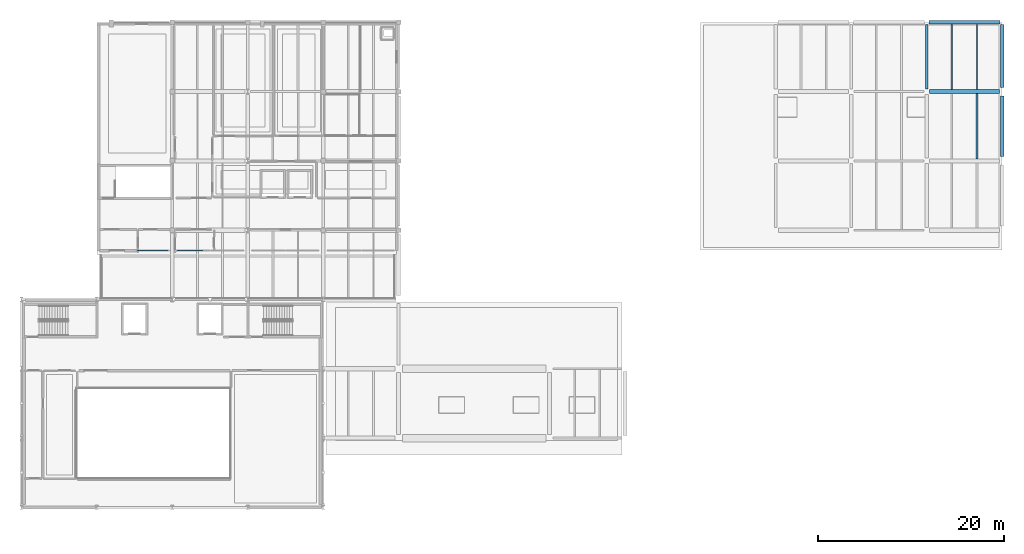
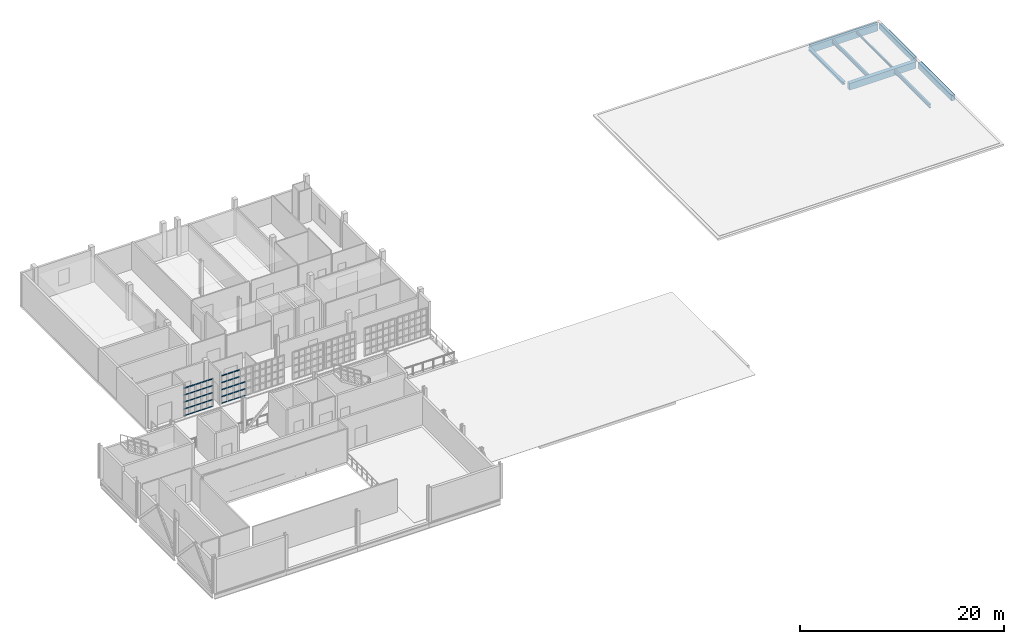
# One storey, part 11 of 25: 43 members, 8 beams, 2 elements without a shape of their own.
"""IFC4 building model written with IfcOpenShell, lengths in metres."""

from ifc_helpers import new_model, si_unit, direction, frame, origin, origin_2d, place, context, subcontext, project, spatial, rectangle, hollow_rectangle, i_section, extrude, material, material_profile, profile_set, type_object, element, aggregate, save


model = new_model("IFC4")

# Units and contexts
model_context = context("Model", 3, precision=1e-05, world=origin(), true_north=direction((0.0, 1.0)))
body_context = subcontext(model_context, "Body", "Model", "MODEL_VIEW")
ifc_project = project(units=[si_unit("LENGTHUNIT", "METRE"), si_unit("AREAUNIT", "SQUARE_METRE"), si_unit("VOLUMEUNIT", "CUBIC_METRE"), si_unit("PLANEANGLEUNIT", "RADIAN"), si_unit("MASSUNIT", "GRAM", prefix="KILO")], contexts=[model_context])

# Site, building, storey
site_placement = place(None, origin())
site = spatial("IfcSite", under=ifc_project, at=site_placement, CompositionType="ELEMENT")
building_placement = place(site_placement, origin())
building = spatial("IfcBuilding", under=site, at=building_placement, Name="Kaelora Sail Theatre", CompositionType="ELEMENT")
storey_placement = place(building_placement, frame((0.0, 0.0, 19.199951171875)))
storey = spatial("IfcBuildingStorey", under=building, at=storey_placement, Name="L04", CompositionType="ELEMENT", Elevation=19.199951171875)

# Curtain wall, members
ifc_material_1 = material(Name="Anodised aluminium and solar-control low-E IGU", Category="aluminium")
curtain_wall_type = type_object("IfcCurtainWallType", Name="ARC-CW-CW-CLR", PredefinedType="NOTDEFINED", material=ifc_material_1)
curtain_wall_1_placement = place(storey_placement, origin())
curtain_wall_1 = element("IfcCurtainWall", 1, at=curtain_wall_1_placement, inside=storey, type_object=curtain_wall_type, Name="Glazed Foyer/Conservatory Curtain Wall NW2-S-L04-01", PredefinedType="NOTDEFINED")
ifc_material_2 = material(Name="Anodised aluminium 6063-T6", Category="aluminium")
ifc_material_profile_1 = material_profile(ifc_material_2, hollow_rectangle(XDim=0.070068359375, YDim=0.139892578125, WallThickness=0.00390625, InnerFilletRadius=0.00390625, OuterFilletRadius=0.008056640625, at=origin_2d()), Name="ALU-TRAN 70x140x4")
ifc_profile_set_1 = profile_set([ifc_material_profile_1], Name="Anodised aluminium 6063-T6")
member_type = type_object("IfcMemberType", Name="ARC-MEM-TR-140", PredefinedType="USERDEFINED", material=ifc_profile_set_1)
member_1_placement = place(storey_placement, frame((38.260009765625, 88.590087890625, 0.03515625), z_axis=(1.0, 0.0, 0.0), x_axis=(0.0, 1.0, 0.0)))
member_1 = element("IfcMember", 2, at=member_1_placement, type_object=member_type, Name="CW-CLR transom 1.1", ObjectType="TRANSOM", PredefinedType="USERDEFINED", context=body_context, shape_type="SweptSolid", body=[
    extrude(hollow_rectangle(XDim=0.070068359375, YDim=0.139892578125, WallThickness=0.00390625, InnerFilletRadius=0.00390625, OuterFilletRadius=0.008056640625, at=origin_2d()), origin(), (0.0, 0.0, 1.0), 0.590087890625),
])
member_2_placement = place(storey_placement, frame((38.260009765625, 88.590087890625, 0.836669921875), z_axis=(1.0, 0.0, 0.0), x_axis=(0.0, 1.0, 0.0)))
member_2 = element("IfcMember", 3, at=member_2_placement, type_object=member_type, Name="CW-CLR transom 1.2", ObjectType="TRANSOM", PredefinedType="USERDEFINED", context=body_context, shape_type="SweptSolid", body=[
    extrude(hollow_rectangle(XDim=0.070068359375, YDim=0.139892578125, WallThickness=0.00390625, InnerFilletRadius=0.00390625, OuterFilletRadius=0.008056640625, at=origin_2d()), origin(), (0.0, 0.0, 1.0), 0.590087890625),
])
member_3_placement = place(storey_placement, frame((38.260009765625, 88.590087890625, 1.673583984375), z_axis=(1.0, 0.0, 0.0), x_axis=(0.0, 1.0, 0.0)))
member_3 = element("IfcMember", 4, at=member_3_placement, type_object=member_type, Name="CW-CLR transom 1.3", ObjectType="TRANSOM", PredefinedType="USERDEFINED", context=body_context, shape_type="SweptSolid", body=[
    extrude(hollow_rectangle(XDim=0.070068359375, YDim=0.139892578125, WallThickness=0.00390625, InnerFilletRadius=0.00390625, OuterFilletRadius=0.008056640625, at=origin_2d()), origin(), (0.0, 0.0, 1.0), 0.590087890625),
])
member_4_placement = place(storey_placement, frame((38.260009765625, 88.590087890625, 2.51025390625), z_axis=(1.0, 0.0, 0.0), x_axis=(0.0, 1.0, 0.0)))
member_4 = element("IfcMember", 5, at=member_4_placement, type_object=member_type, Name="CW-CLR transom 1.4", ObjectType="TRANSOM", PredefinedType="USERDEFINED", context=body_context, shape_type="SweptSolid", body=[
    extrude(hollow_rectangle(XDim=0.070068359375, YDim=0.139892578125, WallThickness=0.00390625, InnerFilletRadius=0.00390625, OuterFilletRadius=0.008056640625, at=origin_2d()), origin(), (0.0, 0.0, 1.0), 0.590087890625),
])
member_5_placement = place(storey_placement, frame((38.260009765625, 88.590087890625, 3.31201171875), z_axis=(1.0, 0.0, 0.0), x_axis=(0.0, 1.0, 0.0)))
member_5 = element("IfcMember", 6, at=member_5_placement, type_object=member_type, Name="CW-CLR transom 1.5", ObjectType="TRANSOM", PredefinedType="USERDEFINED", context=body_context, shape_type="SweptSolid", body=[
    extrude(hollow_rectangle(XDim=0.070068359375, YDim=0.139892578125, WallThickness=0.00390625, InnerFilletRadius=0.00390625, OuterFilletRadius=0.008056640625, at=origin_2d()), origin(), (0.0, 0.0, 1.0), 0.590087890625),
])
member_6_placement = place(storey_placement, frame((38.909912109375, 88.590087890625, 0.03515625), z_axis=(1.0, 0.0, 0.0), x_axis=(0.0, 1.0, 0.0)))
member_6 = element("IfcMember", 7, at=member_6_placement, type_object=member_type, Name="CW-CLR transom 2.1", ObjectType="TRANSOM", PredefinedType="USERDEFINED", context=body_context, shape_type="SweptSolid", body=[
    extrude(hollow_rectangle(XDim=0.070068359375, YDim=0.139892578125, WallThickness=0.00390625, InnerFilletRadius=0.00390625, OuterFilletRadius=0.008056640625, at=origin_2d()), origin(), (0.0, 0.0, 1.0), 0.6201171875),
])
member_7_placement = place(storey_placement, frame((38.909912109375, 88.590087890625, 0.836669921875), z_axis=(1.0, 0.0, 0.0), x_axis=(0.0, 1.0, 0.0)))
member_7 = element("IfcMember", 8, at=member_7_placement, type_object=member_type, Name="CW-CLR transom 2.2", ObjectType="TRANSOM", PredefinedType="USERDEFINED", context=body_context, shape_type="SweptSolid", body=[
    extrude(hollow_rectangle(XDim=0.070068359375, YDim=0.139892578125, WallThickness=0.00390625, InnerFilletRadius=0.00390625, OuterFilletRadius=0.008056640625, at=origin_2d()), origin(), (0.0, 0.0, 1.0), 0.6201171875),
])
member_8_placement = place(storey_placement, frame((38.909912109375, 88.590087890625, 1.673583984375), z_axis=(1.0, 0.0, 0.0), x_axis=(0.0, 1.0, 0.0)))
member_8 = element("IfcMember", 9, at=member_8_placement, type_object=member_type, Name="CW-CLR transom 2.3", ObjectType="TRANSOM", PredefinedType="USERDEFINED", context=body_context, shape_type="SweptSolid", body=[
    extrude(hollow_rectangle(XDim=0.070068359375, YDim=0.139892578125, WallThickness=0.00390625, InnerFilletRadius=0.00390625, OuterFilletRadius=0.008056640625, at=origin_2d()), origin(), (0.0, 0.0, 1.0), 0.6201171875),
])
member_9_placement = place(storey_placement, frame((38.909912109375, 88.590087890625, 2.51025390625), z_axis=(1.0, 0.0, 0.0), x_axis=(0.0, 1.0, 0.0)))
member_9 = element("IfcMember", 10, at=member_9_placement, type_object=member_type, Name="CW-CLR transom 2.4", ObjectType="TRANSOM", PredefinedType="USERDEFINED", context=body_context, shape_type="SweptSolid", body=[
    extrude(hollow_rectangle(XDim=0.070068359375, YDim=0.139892578125, WallThickness=0.00390625, InnerFilletRadius=0.00390625, OuterFilletRadius=0.008056640625, at=origin_2d()), origin(), (0.0, 0.0, 1.0), 0.6201171875),
])
member_10_placement = place(storey_placement, frame((38.909912109375, 88.590087890625, 3.31201171875), z_axis=(1.0, 0.0, 0.0), x_axis=(0.0, 1.0, 0.0)))
member_10 = element("IfcMember", 11, at=member_10_placement, type_object=member_type, Name="CW-CLR transom 2.5", ObjectType="TRANSOM", PredefinedType="USERDEFINED", context=body_context, shape_type="SweptSolid", body=[
    extrude(hollow_rectangle(XDim=0.070068359375, YDim=0.139892578125, WallThickness=0.00390625, InnerFilletRadius=0.00390625, OuterFilletRadius=0.008056640625, at=origin_2d()), origin(), (0.0, 0.0, 1.0), 0.6201171875),
])
member_11_placement = place(storey_placement, frame((39.590087890625, 88.590087890625, 0.03515625), z_axis=(1.0, 0.0, 0.0), x_axis=(0.0, 1.0, 0.0)))
member_11 = element("IfcMember", 12, at=member_11_placement, type_object=member_type, Name="CW-CLR transom 3.1", ObjectType="TRANSOM", PredefinedType="USERDEFINED", context=body_context, shape_type="SweptSolid", body=[
    extrude(hollow_rectangle(XDim=0.070068359375, YDim=0.139892578125, WallThickness=0.00390625, InnerFilletRadius=0.00390625, OuterFilletRadius=0.008056640625, at=origin_2d()), origin(), (0.0, 0.0, 1.0), 0.619873046875),
])
member_12_placement = place(storey_placement, frame((39.590087890625, 88.590087890625, 0.836669921875), z_axis=(1.0, 0.0, 0.0), x_axis=(0.0, 1.0, 0.0)))
member_12 = element("IfcMember", 13, at=member_12_placement, type_object=member_type, Name="CW-CLR transom 3.2", ObjectType="TRANSOM", PredefinedType="USERDEFINED", context=body_context, shape_type="SweptSolid", body=[
    extrude(hollow_rectangle(XDim=0.070068359375, YDim=0.139892578125, WallThickness=0.00390625, InnerFilletRadius=0.00390625, OuterFilletRadius=0.008056640625, at=origin_2d()), origin(), (0.0, 0.0, 1.0), 0.619873046875),
])
member_13_placement = place(storey_placement, frame((39.590087890625, 88.590087890625, 1.673583984375), z_axis=(1.0, 0.0, 0.0), x_axis=(0.0, 1.0, 0.0)))
member_13 = element("IfcMember", 14, at=member_13_placement, type_object=member_type, Name="CW-CLR transom 3.3", ObjectType="TRANSOM", PredefinedType="USERDEFINED", context=body_context, shape_type="SweptSolid", body=[
    extrude(hollow_rectangle(XDim=0.070068359375, YDim=0.139892578125, WallThickness=0.00390625, InnerFilletRadius=0.00390625, OuterFilletRadius=0.008056640625, at=origin_2d()), origin(), (0.0, 0.0, 1.0), 0.619873046875),
])
member_14_placement = place(storey_placement, frame((39.590087890625, 88.590087890625, 2.51025390625), z_axis=(1.0, 0.0, 0.0), x_axis=(0.0, 1.0, 0.0)))
member_14 = element("IfcMember", 15, at=member_14_placement, type_object=member_type, Name="CW-CLR transom 3.4", ObjectType="TRANSOM", PredefinedType="USERDEFINED", context=body_context, shape_type="SweptSolid", body=[
    extrude(hollow_rectangle(XDim=0.070068359375, YDim=0.139892578125, WallThickness=0.00390625, InnerFilletRadius=0.00390625, OuterFilletRadius=0.008056640625, at=origin_2d()), origin(), (0.0, 0.0, 1.0), 0.619873046875),
])
member_15_placement = place(storey_placement, frame((39.590087890625, 88.590087890625, 3.31201171875), z_axis=(1.0, 0.0, 0.0), x_axis=(0.0, 1.0, 0.0)))
member_15 = element("IfcMember", 16, at=member_15_placement, type_object=member_type, Name="CW-CLR transom 3.5", ObjectType="TRANSOM", PredefinedType="USERDEFINED", context=body_context, shape_type="SweptSolid", body=[
    extrude(hollow_rectangle(XDim=0.070068359375, YDim=0.139892578125, WallThickness=0.00390625, InnerFilletRadius=0.00390625, OuterFilletRadius=0.008056640625, at=origin_2d()), origin(), (0.0, 0.0, 1.0), 0.619873046875),
])
member_16_placement = place(storey_placement, frame((40.27001953125, 88.590087890625, 0.03515625), z_axis=(1.0, 0.0, 0.0), x_axis=(0.0, 1.0, 0.0)))
member_16 = element("IfcMember", 17, at=member_16_placement, type_object=member_type, Name="CW-CLR transom 4.1", ObjectType="TRANSOM", PredefinedType="USERDEFINED", context=body_context, shape_type="SweptSolid", body=[
    extrude(hollow_rectangle(XDim=0.070068359375, YDim=0.139892578125, WallThickness=0.00390625, InnerFilletRadius=0.00390625, OuterFilletRadius=0.008056640625, at=origin_2d()), origin(), (0.0, 0.0, 1.0), 0.619873046875),
])
member_17_placement = place(storey_placement, frame((40.27001953125, 88.590087890625, 0.836669921875), z_axis=(1.0, 0.0, 0.0), x_axis=(0.0, 1.0, 0.0)))
member_17 = element("IfcMember", 18, at=member_17_placement, type_object=member_type, Name="CW-CLR transom 4.2", ObjectType="TRANSOM", PredefinedType="USERDEFINED", context=body_context, shape_type="SweptSolid", body=[
    extrude(hollow_rectangle(XDim=0.070068359375, YDim=0.139892578125, WallThickness=0.00390625, InnerFilletRadius=0.00390625, OuterFilletRadius=0.008056640625, at=origin_2d()), origin(), (0.0, 0.0, 1.0), 0.619873046875),
])
member_18_placement = place(storey_placement, frame((40.27001953125, 88.590087890625, 1.673583984375), z_axis=(1.0, 0.0, 0.0), x_axis=(0.0, 1.0, 0.0)))
member_18 = element("IfcMember", 19, at=member_18_placement, type_object=member_type, Name="CW-CLR transom 4.3", ObjectType="TRANSOM", PredefinedType="USERDEFINED", context=body_context, shape_type="SweptSolid", body=[
    extrude(hollow_rectangle(XDim=0.070068359375, YDim=0.139892578125, WallThickness=0.00390625, InnerFilletRadius=0.00390625, OuterFilletRadius=0.008056640625, at=origin_2d()), origin(), (0.0, 0.0, 1.0), 0.619873046875),
])
member_19_placement = place(storey_placement, frame((40.27001953125, 88.590087890625, 2.51025390625), z_axis=(1.0, 0.0, 0.0), x_axis=(0.0, 1.0, 0.0)))
member_19 = element("IfcMember", 20, at=member_19_placement, type_object=member_type, Name="CW-CLR transom 4.4", ObjectType="TRANSOM", PredefinedType="USERDEFINED", context=body_context, shape_type="SweptSolid", body=[
    extrude(hollow_rectangle(XDim=0.070068359375, YDim=0.139892578125, WallThickness=0.00390625, InnerFilletRadius=0.00390625, OuterFilletRadius=0.008056640625, at=origin_2d()), origin(), (0.0, 0.0, 1.0), 0.619873046875),
])
member_20_placement = place(storey_placement, frame((40.27001953125, 88.590087890625, 3.31201171875), z_axis=(1.0, 0.0, 0.0), x_axis=(0.0, 1.0, 0.0)))
member_20 = element("IfcMember", 21, at=member_20_placement, type_object=member_type, Name="CW-CLR transom 4.5", ObjectType="TRANSOM", PredefinedType="USERDEFINED", context=body_context, shape_type="SweptSolid", body=[
    extrude(hollow_rectangle(XDim=0.070068359375, YDim=0.139892578125, WallThickness=0.00390625, InnerFilletRadius=0.00390625, OuterFilletRadius=0.008056640625, at=origin_2d()), origin(), (0.0, 0.0, 1.0), 0.619873046875),
])
member_21_placement = place(storey_placement, frame((40.949951171875, 88.590087890625, 0.03515625), z_axis=(1.0, 0.0, 0.0), x_axis=(0.0, 1.0, 0.0)))
member_21 = element("IfcMember", 22, at=member_21_placement, type_object=member_type, Name="CW-CLR transom 5.1", ObjectType="TRANSOM", PredefinedType="USERDEFINED", context=body_context, shape_type="SweptSolid", body=[
    extrude(hollow_rectangle(XDim=0.070068359375, YDim=0.139892578125, WallThickness=0.00390625, InnerFilletRadius=0.00390625, OuterFilletRadius=0.008056640625, at=origin_2d()), origin(), (0.0, 0.0, 1.0), 0.590087890625),
])
member_22_placement = place(storey_placement, frame((40.949951171875, 88.590087890625, 0.836669921875), z_axis=(1.0, 0.0, 0.0), x_axis=(0.0, 1.0, 0.0)))
member_22 = element("IfcMember", 23, at=member_22_placement, type_object=member_type, Name="CW-CLR transom 5.2", ObjectType="TRANSOM", PredefinedType="USERDEFINED", context=body_context, shape_type="SweptSolid", body=[
    extrude(hollow_rectangle(XDim=0.070068359375, YDim=0.139892578125, WallThickness=0.00390625, InnerFilletRadius=0.00390625, OuterFilletRadius=0.008056640625, at=origin_2d()), origin(), (0.0, 0.0, 1.0), 0.590087890625),
])
member_23_placement = place(storey_placement, frame((40.949951171875, 88.590087890625, 1.673583984375), z_axis=(1.0, 0.0, 0.0), x_axis=(0.0, 1.0, 0.0)))
member_23 = element("IfcMember", 24, at=member_23_placement, type_object=member_type, Name="CW-CLR transom 5.3", ObjectType="TRANSOM", PredefinedType="USERDEFINED", context=body_context, shape_type="SweptSolid", body=[
    extrude(hollow_rectangle(XDim=0.070068359375, YDim=0.139892578125, WallThickness=0.00390625, InnerFilletRadius=0.00390625, OuterFilletRadius=0.008056640625, at=origin_2d()), origin(), (0.0, 0.0, 1.0), 0.590087890625),
])
member_24_placement = place(storey_placement, frame((40.949951171875, 88.590087890625, 2.51025390625), z_axis=(1.0, 0.0, 0.0), x_axis=(0.0, 1.0, 0.0)))
member_24 = element("IfcMember", 25, at=member_24_placement, type_object=member_type, Name="CW-CLR transom 5.4", ObjectType="TRANSOM", PredefinedType="USERDEFINED", context=body_context, shape_type="SweptSolid", body=[
    extrude(hollow_rectangle(XDim=0.070068359375, YDim=0.139892578125, WallThickness=0.00390625, InnerFilletRadius=0.00390625, OuterFilletRadius=0.008056640625, at=origin_2d()), origin(), (0.0, 0.0, 1.0), 0.590087890625),
])
member_25_placement = place(storey_placement, frame((40.949951171875, 88.590087890625, 3.31201171875), z_axis=(1.0, 0.0, 0.0), x_axis=(0.0, 1.0, 0.0)))
member_25 = element("IfcMember", 26, at=member_25_placement, type_object=member_type, Name="CW-CLR transom 5.5", ObjectType="TRANSOM", PredefinedType="USERDEFINED", context=body_context, shape_type="SweptSolid", body=[
    extrude(hollow_rectangle(XDim=0.070068359375, YDim=0.139892578125, WallThickness=0.00390625, InnerFilletRadius=0.00390625, OuterFilletRadius=0.008056640625, at=origin_2d()), origin(), (0.0, 0.0, 1.0), 0.590087890625),
])
aggregate(curtain_wall_1, [member_1, member_2, member_3, member_4, member_5, member_6, member_7, member_8, member_9, member_10, member_11, member_12, member_13, member_14, member_15, member_16, member_17, member_18, member_19, member_20, member_21, member_22, member_23, member_24, member_25])

curtain_wall_2_placement = place(storey_placement, origin())
curtain_wall_2 = element("IfcCurtainWall", 27, at=curtain_wall_2_placement, inside=storey, type_object=curtain_wall_type, Name="Glazed Foyer/Conservatory Curtain Wall NW2-S-L04-02", PredefinedType="NOTDEFINED")
member_26_placement = place(storey_placement, frame((42.56005859375, 88.590087890625, 0.03515625), z_axis=(1.0, 0.0, 0.0), x_axis=(0.0, 1.0, 0.0)))
member_26 = element("IfcMember", 28, at=member_26_placement, type_object=member_type, Name="CW-CLR transom 1.1", ObjectType="TRANSOM", PredefinedType="USERDEFINED", context=body_context, shape_type="SweptSolid", body=[
    extrude(hollow_rectangle(XDim=0.070068359375, YDim=0.139892578125, WallThickness=0.00390625, InnerFilletRadius=0.00390625, OuterFilletRadius=0.008056640625, at=origin_2d()), origin(), (0.0, 0.0, 1.0), 0.60986328125),
])
member_27_placement = place(storey_placement, frame((42.56005859375, 88.590087890625, 0.836669921875), z_axis=(1.0, 0.0, 0.0), x_axis=(0.0, 1.0, 0.0)))
member_27 = element("IfcMember", 29, at=member_27_placement, type_object=member_type, Name="CW-CLR transom 1.2", ObjectType="TRANSOM", PredefinedType="USERDEFINED", context=body_context, shape_type="SweptSolid", body=[
    extrude(hollow_rectangle(XDim=0.070068359375, YDim=0.139892578125, WallThickness=0.00390625, InnerFilletRadius=0.00390625, OuterFilletRadius=0.008056640625, at=origin_2d()), origin(), (0.0, 0.0, 1.0), 0.60986328125),
])
member_28_placement = place(storey_placement, frame((42.56005859375, 88.590087890625, 1.673583984375), z_axis=(1.0, 0.0, 0.0), x_axis=(0.0, 1.0, 0.0)))
member_28 = element("IfcMember", 30, at=member_28_placement, type_object=member_type, Name="CW-CLR transom 1.3", ObjectType="TRANSOM", PredefinedType="USERDEFINED", context=body_context, shape_type="SweptSolid", body=[
    extrude(hollow_rectangle(XDim=0.070068359375, YDim=0.139892578125, WallThickness=0.00390625, InnerFilletRadius=0.00390625, OuterFilletRadius=0.008056640625, at=origin_2d()), origin(), (0.0, 0.0, 1.0), 0.60986328125),
])
member_29_placement = place(storey_placement, frame((42.56005859375, 88.590087890625, 2.51025390625), z_axis=(1.0, 0.0, 0.0), x_axis=(0.0, 1.0, 0.0)))
member_29 = element("IfcMember", 31, at=member_29_placement, type_object=member_type, Name="CW-CLR transom 1.4", ObjectType="TRANSOM", PredefinedType="USERDEFINED", context=body_context, shape_type="SweptSolid", body=[
    extrude(hollow_rectangle(XDim=0.070068359375, YDim=0.139892578125, WallThickness=0.00390625, InnerFilletRadius=0.00390625, OuterFilletRadius=0.008056640625, at=origin_2d()), origin(), (0.0, 0.0, 1.0), 0.60986328125),
])
member_30_placement = place(storey_placement, frame((42.56005859375, 88.590087890625, 3.31201171875), z_axis=(1.0, 0.0, 0.0), x_axis=(0.0, 1.0, 0.0)))
member_30 = element("IfcMember", 32, at=member_30_placement, type_object=member_type, Name="CW-CLR transom 1.5", ObjectType="TRANSOM", PredefinedType="USERDEFINED", context=body_context, shape_type="SweptSolid", body=[
    extrude(hollow_rectangle(XDim=0.070068359375, YDim=0.139892578125, WallThickness=0.00390625, InnerFilletRadius=0.00390625, OuterFilletRadius=0.008056640625, at=origin_2d()), origin(), (0.0, 0.0, 1.0), 0.60986328125),
])
member_31_placement = place(storey_placement, frame((43.22998046875, 88.590087890625, 0.03515625), z_axis=(1.0, 0.0, 0.0), x_axis=(0.0, 1.0, 0.0)))
member_31 = element("IfcMember", 33, at=member_31_placement, type_object=member_type, Name="CW-CLR transom 2.1", ObjectType="TRANSOM", PredefinedType="USERDEFINED", context=body_context, shape_type="SweptSolid", body=[
    extrude(hollow_rectangle(XDim=0.070068359375, YDim=0.139892578125, WallThickness=0.00390625, InnerFilletRadius=0.00390625, OuterFilletRadius=0.008056640625, at=origin_2d()), origin(), (0.0, 0.0, 1.0), 0.64013671875),
])
member_32_placement = place(storey_placement, frame((43.22998046875, 88.590087890625, 0.836669921875), z_axis=(1.0, 0.0, 0.0), x_axis=(0.0, 1.0, 0.0)))
member_32 = element("IfcMember", 34, at=member_32_placement, type_object=member_type, Name="CW-CLR transom 2.2", ObjectType="TRANSOM", PredefinedType="USERDEFINED", context=body_context, shape_type="SweptSolid", body=[
    extrude(hollow_rectangle(XDim=0.070068359375, YDim=0.139892578125, WallThickness=0.00390625, InnerFilletRadius=0.00390625, OuterFilletRadius=0.008056640625, at=origin_2d()), origin(), (0.0, 0.0, 1.0), 0.64013671875),
])
member_33_placement = place(storey_placement, frame((43.22998046875, 88.590087890625, 1.673583984375), z_axis=(1.0, 0.0, 0.0), x_axis=(0.0, 1.0, 0.0)))
member_33 = element("IfcMember", 35, at=member_33_placement, type_object=member_type, Name="CW-CLR transom 2.3", ObjectType="TRANSOM", PredefinedType="USERDEFINED", context=body_context, shape_type="SweptSolid", body=[
    extrude(hollow_rectangle(XDim=0.070068359375, YDim=0.139892578125, WallThickness=0.00390625, InnerFilletRadius=0.00390625, OuterFilletRadius=0.008056640625, at=origin_2d()), origin(), (0.0, 0.0, 1.0), 0.64013671875),
])
member_34_placement = place(storey_placement, frame((43.22998046875, 88.590087890625, 2.51025390625), z_axis=(1.0, 0.0, 0.0), x_axis=(0.0, 1.0, 0.0)))
member_34 = element("IfcMember", 36, at=member_34_placement, type_object=member_type, Name="CW-CLR transom 2.4", ObjectType="TRANSOM", PredefinedType="USERDEFINED", context=body_context, shape_type="SweptSolid", body=[
    extrude(hollow_rectangle(XDim=0.070068359375, YDim=0.139892578125, WallThickness=0.00390625, InnerFilletRadius=0.00390625, OuterFilletRadius=0.008056640625, at=origin_2d()), origin(), (0.0, 0.0, 1.0), 0.64013671875),
])
member_35_placement = place(storey_placement, frame((43.22998046875, 88.590087890625, 3.31201171875), z_axis=(1.0, 0.0, 0.0), x_axis=(0.0, 1.0, 0.0)))
member_35 = element("IfcMember", 37, at=member_35_placement, type_object=member_type, Name="CW-CLR transom 2.5", ObjectType="TRANSOM", PredefinedType="USERDEFINED", context=body_context, shape_type="SweptSolid", body=[
    extrude(hollow_rectangle(XDim=0.070068359375, YDim=0.139892578125, WallThickness=0.00390625, InnerFilletRadius=0.00390625, OuterFilletRadius=0.008056640625, at=origin_2d()), origin(), (0.0, 0.0, 1.0), 0.64013671875),
])
member_36_placement = place(storey_placement, frame((43.929931640625, 88.590087890625, 0.03515625), z_axis=(1.0, 0.0, 0.0), x_axis=(0.0, 1.0, 0.0)))
member_36 = element("IfcMember", 38, at=member_36_placement, type_object=member_type, Name="CW-CLR transom 3.1", ObjectType="TRANSOM", PredefinedType="USERDEFINED", context=body_context, shape_type="SweptSolid", body=[
    extrude(hollow_rectangle(XDim=0.070068359375, YDim=0.139892578125, WallThickness=0.00390625, InnerFilletRadius=0.00390625, OuterFilletRadius=0.008056640625, at=origin_2d()), origin(), (0.0, 0.0, 1.0), 0.64013671875),
])
member_37_placement = place(storey_placement, frame((43.929931640625, 88.590087890625, 0.836669921875), z_axis=(1.0, 0.0, 0.0), x_axis=(0.0, 1.0, 0.0)))
member_37 = element("IfcMember", 39, at=member_37_placement, type_object=member_type, Name="CW-CLR transom 3.2", ObjectType="TRANSOM", PredefinedType="USERDEFINED", context=body_context, shape_type="SweptSolid", body=[
    extrude(hollow_rectangle(XDim=0.070068359375, YDim=0.139892578125, WallThickness=0.00390625, InnerFilletRadius=0.00390625, OuterFilletRadius=0.008056640625, at=origin_2d()), origin(), (0.0, 0.0, 1.0), 0.64013671875),
])
member_38_placement = place(storey_placement, frame((43.929931640625, 88.590087890625, 1.673583984375), z_axis=(1.0, 0.0, 0.0), x_axis=(0.0, 1.0, 0.0)))
member_38 = element("IfcMember", 40, at=member_38_placement, type_object=member_type, Name="CW-CLR transom 3.3", ObjectType="TRANSOM", PredefinedType="USERDEFINED", context=body_context, shape_type="SweptSolid", body=[
    extrude(hollow_rectangle(XDim=0.070068359375, YDim=0.139892578125, WallThickness=0.00390625, InnerFilletRadius=0.00390625, OuterFilletRadius=0.008056640625, at=origin_2d()), origin(), (0.0, 0.0, 1.0), 0.64013671875),
])
member_39_placement = place(storey_placement, frame((43.929931640625, 88.590087890625, 2.51025390625), z_axis=(1.0, 0.0, 0.0), x_axis=(0.0, 1.0, 0.0)))
member_39 = element("IfcMember", 41, at=member_39_placement, type_object=member_type, Name="CW-CLR transom 3.4", ObjectType="TRANSOM", PredefinedType="USERDEFINED", context=body_context, shape_type="SweptSolid", body=[
    extrude(hollow_rectangle(XDim=0.070068359375, YDim=0.139892578125, WallThickness=0.00390625, InnerFilletRadius=0.00390625, OuterFilletRadius=0.008056640625, at=origin_2d()), origin(), (0.0, 0.0, 1.0), 0.64013671875),
])
member_40_placement = place(storey_placement, frame((43.929931640625, 88.590087890625, 3.31201171875), z_axis=(1.0, 0.0, 0.0), x_axis=(0.0, 1.0, 0.0)))
member_40 = element("IfcMember", 42, at=member_40_placement, type_object=member_type, Name="CW-CLR transom 3.5", ObjectType="TRANSOM", PredefinedType="USERDEFINED", context=body_context, shape_type="SweptSolid", body=[
    extrude(hollow_rectangle(XDim=0.070068359375, YDim=0.139892578125, WallThickness=0.00390625, InnerFilletRadius=0.00390625, OuterFilletRadius=0.008056640625, at=origin_2d()), origin(), (0.0, 0.0, 1.0), 0.64013671875),
])
member_41_placement = place(storey_placement, frame((44.6298828125, 88.590087890625, 0.03515625), z_axis=(1.0, 0.0, 0.0), x_axis=(0.0, 1.0, 0.0)))
member_41 = element("IfcMember", 43, at=member_41_placement, type_object=member_type, Name="CW-CLR transom 4.1", ObjectType="TRANSOM", PredefinedType="USERDEFINED", context=body_context, shape_type="SweptSolid", body=[
    extrude(hollow_rectangle(XDim=0.070068359375, YDim=0.139892578125, WallThickness=0.00390625, InnerFilletRadius=0.00390625, OuterFilletRadius=0.008056640625, at=origin_2d()), origin(), (0.0, 0.0, 1.0), 0.64013671875),
])
member_42_placement = place(storey_placement, frame((44.6298828125, 88.590087890625, 0.836669921875), z_axis=(1.0, 0.0, 0.0), x_axis=(0.0, 1.0, 0.0)))
member_42 = element("IfcMember", 44, at=member_42_placement, type_object=member_type, Name="CW-CLR transom 4.2", ObjectType="TRANSOM", PredefinedType="USERDEFINED", context=body_context, shape_type="SweptSolid", body=[
    extrude(hollow_rectangle(XDim=0.070068359375, YDim=0.139892578125, WallThickness=0.00390625, InnerFilletRadius=0.00390625, OuterFilletRadius=0.008056640625, at=origin_2d()), origin(), (0.0, 0.0, 1.0), 0.64013671875),
])
member_43_placement = place(storey_placement, frame((44.6298828125, 88.590087890625, 1.673583984375), z_axis=(1.0, 0.0, 0.0), x_axis=(0.0, 1.0, 0.0)))
member_43 = element("IfcMember", 45, at=member_43_placement, type_object=member_type, Name="CW-CLR transom 4.3", ObjectType="TRANSOM", PredefinedType="USERDEFINED", context=body_context, shape_type="SweptSolid", body=[
    extrude(hollow_rectangle(XDim=0.070068359375, YDim=0.139892578125, WallThickness=0.00390625, InnerFilletRadius=0.00390625, OuterFilletRadius=0.008056640625, at=origin_2d()), origin(), (0.0, 0.0, 1.0), 0.64013671875),
])
aggregate(curtain_wall_2, [member_26, member_27, member_28, member_29, member_30, member_31, member_32, member_33, member_34, member_35, member_36, member_37, member_38, member_39, member_40, member_41, member_42, member_43])

# Beams
ifc_material_3 = material(Name="Steel S355", Category="steel")
ifc_material_profile_2 = material_profile(ifc_material_3, i_section(OverallWidth=0.300048828125, OverallDepth=0.31005859375, WebThickness=0.009033203125, FlangeThickness=0.015380859375, FilletRadius=0.027099609375, at=origin_2d()), Name="HEA 320")
ifc_profile_set_2 = profile_set([ifc_material_profile_2], Name="Steel S355")
beam_type_1 = type_object("IfcBeamType", Name="STR-BM-BM-HEA320", PredefinedType="BEAM", material=ifc_profile_set_2)
beam_1_placement = place(storey_placement, frame((123.0, 105.9599609375, -0.409912109375), z_axis=(0.0, 1.0, 0.0), x_axis=(-1.0, 0.0, 0.0)))
element("IfcBeam", 46, at=beam_1_placement, inside=storey, type_object=beam_type_1, Name="Primary beam 16 O-P (L04)", PredefinedType="BEAM", context=body_context, shape_type="SweptSolid", body=[
    extrude(i_section(OverallWidth=0.300048828125, OverallDepth=0.31005859375, WebThickness=0.009033203125, FlangeThickness=0.015380859375, FilletRadius=0.027099609375, at=origin_2d()), origin(), (0.0, 0.0, 1.0), 6.89013671875),
])
ifc_material_4 = material(Name="Steel S355", Category="steel")
ifc_material_profile_3 = material_profile(ifc_material_4, i_section(OverallWidth=0.18994140625, OverallDepth=0.449951171875, WebThickness=0.009521484375, FlangeThickness=0.0146484375, FilletRadius=0.02099609375, at=origin_2d()), Name="IPE 450")
ifc_profile_set_3 = profile_set([ifc_material_profile_3], Name="Steel S355")
beam_type_2 = type_object("IfcBeamType", Name="STR-BM-BM-IPE450", PredefinedType="BEAM", material=ifc_profile_set_3)
beam_2_placement = place(storey_placement, frame((128.39990234375, 98.445068359375, -0.47998046875), z_axis=(0.0, 1.0, 0.0), x_axis=(-1.0, 0.0, 0.0)))
element("IfcBeam", 47, at=beam_2_placement, inside=storey, type_object=beam_type_2, Name="Secondary floor joist 16/N-2 (L04)", PredefinedType="BEAM", context=body_context, shape_type="SweptSolid", body=[
    extrude(i_section(OverallWidth=0.18994140625, OverallDepth=0.449951171875, WebThickness=0.009521484375, FlangeThickness=0.0146484375, FilletRadius=0.02099609375, at=origin_2d()), origin(), (0.0, 0.0, 1.0), 6.989990234375),
])
beam_3_placement = place(storey_placement, frame((125.699951171875, 105.885009765625, -0.47998046875), z_axis=(0.0, 1.0, 0.0), x_axis=(-1.0, 0.0, 0.0)))
element("IfcBeam", 48, at=beam_3_placement, inside=storey, type_object=beam_type_2, Name="Secondary floor joist 16/O-1 (L04)", PredefinedType="BEAM", context=body_context, shape_type="SweptSolid", body=[
    extrude(i_section(OverallWidth=0.18994140625, OverallDepth=0.449951171875, WebThickness=0.009521484375, FlangeThickness=0.0146484375, FilletRadius=0.02099609375, at=origin_2d()), origin(), (0.0, 0.0, 1.0), 7.014892578125),
])
ifc_material_5 = material(Name="Concrete C40/50", Category="concrete")
ifc_material_profile_4 = material_profile(ifc_material_5, rectangle(XDim=0.35009765625, YDim=0.60009765625, at=origin_2d()), Name="RC-BM 350x600")
ifc_profile_set_4 = profile_set([ifc_material_profile_4], Name="Concrete C40/50")
beam_type_3 = type_object("IfcBeamType", Name="STR-BM-BM-RC3560", PredefinedType="BEAM", material=ifc_profile_set_4)
beam_4_placement = place(storey_placement, frame((131.10009765625, 106.110107421875, -0.554931640625), z_axis=(0.0, 1.0, 0.0), x_axis=(-1.0, 0.0, 0.0)))
element("IfcBeam", 49, at=beam_4_placement, inside=storey, type_object=beam_type_3, Name="Primary beam 17 O-P (L04)", PredefinedType="BEAM", context=body_context, shape_type="SweptSolid", body=[
    extrude(rectangle(XDim=0.35009765625, YDim=0.60009765625, at=origin_2d()), origin(), (0.0, 0.0, 1.0), 6.739990234375),
])
ifc_material_6 = material(Name="Concrete C40/50", Category="concrete")
ifc_material_profile_5 = material_profile(ifc_material_6, rectangle(XDim=0.39990234375, YDim=0.64990234375, at=origin_2d()), Name="RC-BM 400x650")
ifc_profile_set_5 = profile_set([ifc_material_profile_5], Name="Concrete C40/50")
beam_type_4 = type_object("IfcBeamType", Name="STR-BM-BM-RC4065", PredefinedType="BEAM", material=ifc_profile_set_5)
beam_5_placement = place(storey_placement, frame((131.10009765625, 98.669921875, -0.579833984375), z_axis=(0.0, 1.0, 0.0), x_axis=(-1.0, 0.0, 0.0)))
element("IfcBeam", 50, at=beam_5_placement, inside=storey, type_object=beam_type_4, Name="Primary beam 17 N-O (L04)", PredefinedType="BEAM", context=body_context, shape_type="SweptSolid", body=[
    extrude(rectangle(XDim=0.39990234375, YDim=0.64990234375, at=origin_2d()), origin(), (0.0, 0.0, 1.0), 6.5400390625),
])
ifc_material_7 = material(Name="Concrete C45/55", Category="concrete")
ifc_material_profile_6 = material_profile(ifc_material_7, rectangle(XDim=0.449951171875, YDim=0.800048828125, at=origin_2d()), Name="RC-BM 450x800")
ifc_profile_set_6 = profile_set([ifc_material_profile_6], Name="Concrete C45/55")
beam_type_5 = type_object("IfcBeamType", Name="STR-BM-BM-RC4580", PredefinedType="BEAM", material=ifc_profile_set_6)
beam_6_placement = place(storey_placement, frame((123.300048828125, 105.659912109375, -0.655029296875), z_axis=(1.0, 0.0, 0.0), x_axis=(0.0, 1.0, 0.0)))
element("IfcBeam", 51, at=beam_6_placement, inside=storey, type_object=beam_type_5, Name="Primary beam O 16-17 (L04)", PredefinedType="BEAM", context=body_context, shape_type="SweptSolid", body=[
    extrude(rectangle(XDim=0.449951171875, YDim=0.800048828125, at=origin_2d()), origin(), (0.0, 0.0, 1.0), 7.5),
])
ifc_material_8 = material(Name="Steel S355", Category="steel")
ifc_material_profile_7 = material_profile(ifc_material_8, i_section(OverallWidth=0.135009765625, OverallDepth=0.27001953125, WebThickness=0.006591796875, FlangeThickness=0.01025390625, FilletRadius=0.014892578125, at=origin_2d()), Name="IPE 270")
ifc_profile_set_7 = profile_set([ifc_material_profile_7], Name="Steel S355")
beam_type_6 = type_object("IfcBeamType", Name="STR-BM-JS-IPE270", PredefinedType="JOIST", material=ifc_profile_set_7)
beam_7_placement = place(storey_placement, frame((128.39990234375, 105.885009765625, -0.389892578125), z_axis=(0.0, 1.0, 0.0), x_axis=(-1.0, 0.0, 0.0)))
element("IfcBeam", 52, at=beam_7_placement, inside=storey, type_object=beam_type_6, Name="Secondary floor joist 16/O-2 (L04)", PredefinedType="JOIST", context=body_context, shape_type="SweptSolid", body=[
    extrude(i_section(OverallWidth=0.135009765625, OverallDepth=0.27001953125, WebThickness=0.006591796875, FlangeThickness=0.01025390625, FilletRadius=0.014892578125, at=origin_2d()), origin(), (0.0, 0.0, 1.0), 7.014892578125),
])
ifc_material_9 = material(Name="Concrete C45/55", Category="concrete")
ifc_material_profile_8 = material_profile(ifc_material_9, rectangle(XDim=0.39990234375, YDim=0.85009765625, at=origin_2d()), Name="RC-SPN 400x850")
ifc_profile_set_8 = profile_set([ifc_material_profile_8], Name="Concrete C45/55")
beam_type_7 = type_object("IfcBeamType", Name="STR-BM-SP-RC4085", PredefinedType="SPANDREL", material=ifc_profile_set_8)
beam_8_placement = place(storey_placement, frame((123.25, 113.10009765625, -0.679931640625), z_axis=(1.0, 0.0, 0.0), x_axis=(0.0, 1.0, 0.0)))
element("IfcBeam", 53, at=beam_8_placement, inside=storey, type_object=beam_type_7, Name="Primary beam P 16-17 (L04)", PredefinedType="SPANDREL", context=body_context, shape_type="SweptSolid", body=[
    extrude(rectangle(XDim=0.39990234375, YDim=0.85009765625, at=origin_2d()), origin(), (0.0, 0.0, 1.0), 7.60009765625),
])

save(model, "model.ifc")
